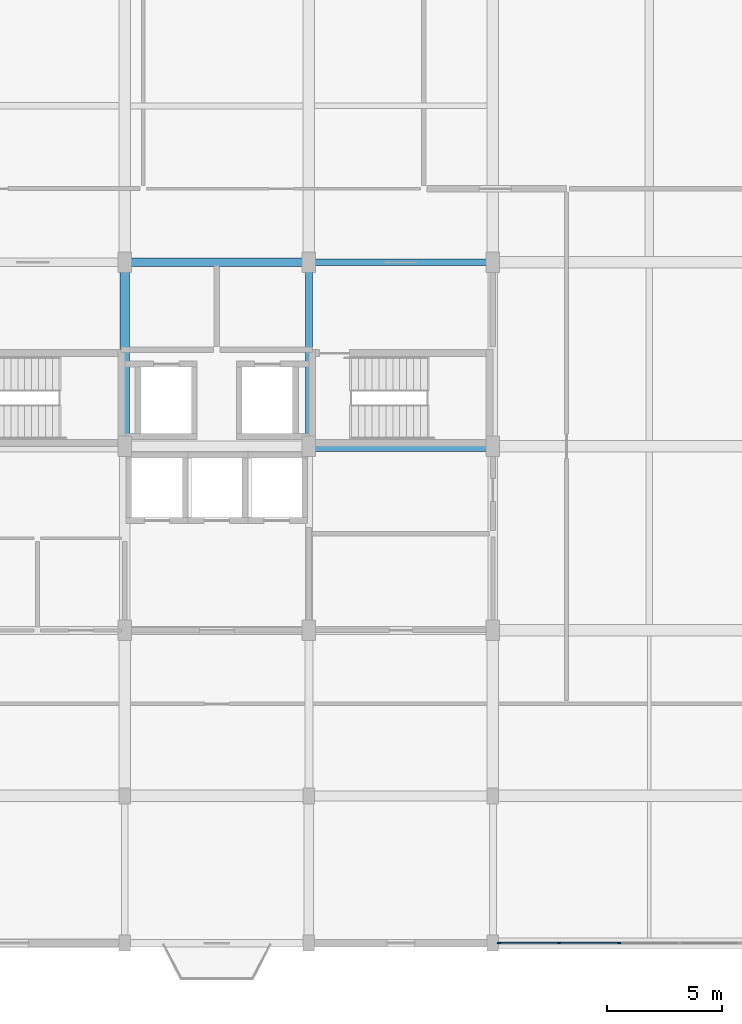
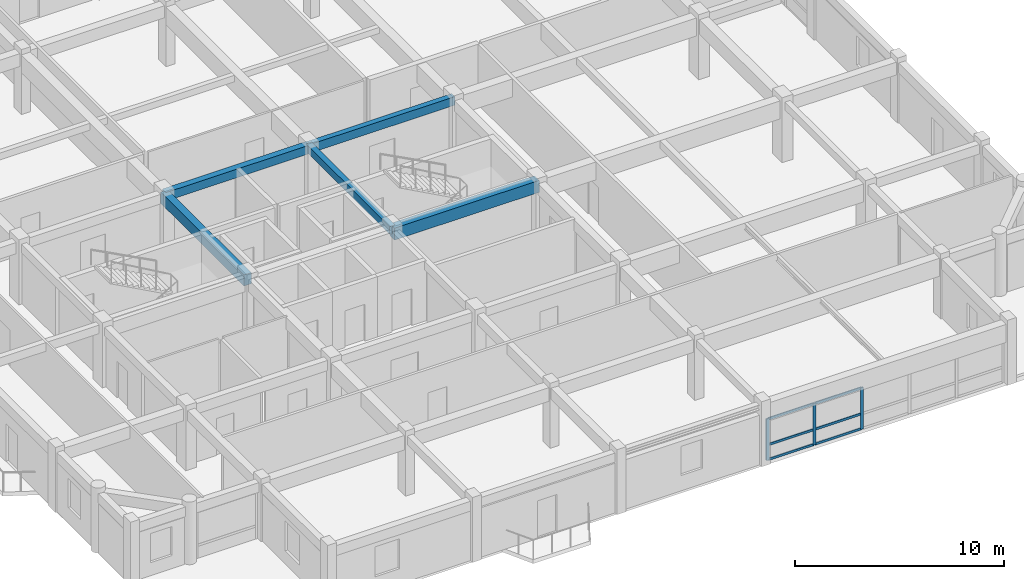
# One storey, part 4 of 14: 9 members, 5 beams, 1 element without a shape of its own.
"""IFC4 building model written with IfcOpenShell, lengths in metres."""

from ifc_helpers import new_model, si_unit, direction, frame, origin, origin_2d, place, context, subcontext, project, spatial, rectangle, extrude, material, material_profile, profile_set, type_object, element, aggregate, save


model = new_model("IFC4")

# Units and contexts
model_context = context("Model", 3, precision=1e-05, world=origin(), true_north=direction((0.0, 1.0)))
body_context = subcontext(model_context, "Body", "Model", "MODEL_VIEW")
ifc_project = project(units=[si_unit("LENGTHUNIT", "METRE"), si_unit("AREAUNIT", "SQUARE_METRE"), si_unit("VOLUMEUNIT", "CUBIC_METRE"), si_unit("PLANEANGLEUNIT", "RADIAN"), si_unit("MASSUNIT", "GRAM", prefix="KILO")], contexts=[model_context])

# Site, building, storey
site_placement = place(None, origin())
site = spatial("IfcSite", under=ifc_project, at=site_placement, CompositionType="ELEMENT")
building_placement = place(site_placement, origin())
building = spatial("IfcBuilding", under=site, at=building_placement, Name="Vellmiral Cinema and Media Centre", CompositionType="ELEMENT")
storey_placement = place(building_placement, frame((0.0, 0.0, 47.10009765625)))
storey = spatial("IfcBuildingStorey", under=building, at=storey_placement, Name="L11", CompositionType="ELEMENT", Elevation=47.10009765625)

# Beams
ifc_material_1 = material(Name="Concrete C40/50", Category="concrete")
ifc_material_profile_1 = material_profile(ifc_material_1, rectangle(XDim=0.300048828125, YDim=0.449951171875, at=origin_2d()), Name="RC 300x450")
ifc_profile_set_1 = profile_set([ifc_material_profile_1], Name="Concrete C40/50")
beam_type_1 = type_object("IfcBeamType", Name="BM-RC-300x450", PredefinedType="BEAM", material=ifc_profile_set_1)
beam_1_placement = place(storey_placement, frame((140.0, 87.199951171875, 3.27001953125), z_axis=(0.0, 1.0, 0.0), x_axis=(-1.0, 0.0, 0.0)))
element("IfcBeam", 1, at=beam_1_placement, inside=storey, type_object=beam_type_1, Name="Grid Beam L11-Y060", PredefinedType="BEAM", context=body_context, shape_type="SweptSolid", body=[
    extrude(rectangle(XDim=0.300048828125, YDim=0.449951171875, at=origin_2d()), origin(), (0.0, 0.0, 1.0), 8.0),
])
ifc_material_2 = material(Name="Concrete C40/50", Category="concrete")
ifc_material_profile_2 = material_profile(ifc_material_2, rectangle(XDim=0.300048828125, YDim=0.5, at=origin_2d()), Name="RC 300x500")
ifc_profile_set_2 = profile_set([ifc_material_profile_2], Name="Concrete C40/50")
beam_type_2 = type_object("IfcBeamType", Name="BM-RC-300x500", PredefinedType="BEAM", material=ifc_profile_set_2)
beam_2_placement = place(storey_placement, frame((140.0, 95.199951171875, 3.244873046875), z_axis=(1.0, 0.0, 0.0), x_axis=(0.0, 1.0, 0.0)))
element("IfcBeam", 2, at=beam_2_placement, inside=storey, type_object=beam_type_2, Name="Grid Beam L11-X026", PredefinedType="BEAM", context=body_context, shape_type="SweptSolid", body=[
    extrude(rectangle(XDim=0.300048828125, YDim=0.5, at=origin_2d()), origin(), (0.0, 0.0, 1.0), 8.0),
])
ifc_material_3 = material(Name="Concrete C40/50", Category="concrete")
ifc_material_profile_3 = material_profile(ifc_material_3, rectangle(XDim=0.35009765625, YDim=0.5, at=origin_2d()), Name="RC 350x500")
ifc_profile_set_3 = profile_set([ifc_material_profile_3], Name="Concrete C40/50")
beam_type_3 = type_object("IfcBeamType", Name="BM-RC-350x500", PredefinedType="BEAM", material=ifc_profile_set_3)
beam_3_placement = place(storey_placement, frame((132.0, 95.199951171875, 3.244873046875), z_axis=(1.0, 0.0, 0.0), x_axis=(0.0, 1.0, 0.0)))
element("IfcBeam", 3, at=beam_3_placement, inside=storey, type_object=beam_type_3, Name="Grid Beam L11-X025", PredefinedType="BEAM", context=body_context, shape_type="SweptSolid", body=[
    extrude(rectangle(XDim=0.35009765625, YDim=0.5, at=origin_2d()), origin(), (0.0, 0.0, 1.0), 8.0),
])
ifc_material_4 = material(Name="Concrete C40/50", Category="concrete")
ifc_material_profile_4 = material_profile(ifc_material_4, rectangle(XDim=0.39990234375, YDim=0.64990234375, at=origin_2d()), Name="RC 400x650")
ifc_profile_set_4 = profile_set([ifc_material_profile_4], Name="Concrete C40/50")
beam_type_4 = type_object("IfcBeamType", Name="BM-RC-400x650", PredefinedType="BEAM", material=ifc_profile_set_4)
beam_4_placement = place(storey_placement, frame((132.0, 87.199951171875, 3.169921875), z_axis=(0.0, 1.0, 0.0), x_axis=(-1.0, 0.0, 0.0)))
element("IfcBeam", 4, at=beam_4_placement, inside=storey, type_object=beam_type_4, Name="Grid Beam L11-Y054", PredefinedType="BEAM", context=body_context, shape_type="SweptSolid", body=[
    extrude(rectangle(XDim=0.39990234375, YDim=0.64990234375, at=origin_2d()), origin(), (0.0, 0.0, 1.0), 8.0),
])
ifc_material_5 = material(Name="Concrete C40/50", Category="concrete")
ifc_material_profile_5 = material_profile(ifc_material_5, rectangle(XDim=0.449951171875, YDim=0.699951171875, at=origin_2d()), Name="RC 450x700")
ifc_profile_set_5 = profile_set([ifc_material_profile_5], Name="Concrete C40/50")
beam_type_5 = type_object("IfcBeamType", Name="BM-RC-450x700", PredefinedType="BEAM", material=ifc_profile_set_5)
beam_5_placement = place(storey_placement, frame((140.0, 87.199951171875, 3.14501953125), z_axis=(1.0, 0.0, 0.0), x_axis=(0.0, 1.0, 0.0)))
element("IfcBeam", 5, at=beam_5_placement, inside=storey, type_object=beam_type_5, Name="Grid Beam L11-X020", PredefinedType="BEAM", context=body_context, shape_type="SweptSolid", body=[
    extrude(rectangle(XDim=0.449951171875, YDim=0.699951171875, at=origin_2d()), origin(), (0.0, 0.0, 1.0), 8.0),
])

# Curtain wall, members
ifc_material_6 = material(Name="Thermally Broken Aluminium and Triple Glazing", Category="aluminium")
curtain_wall_type = type_object("IfcCurtainWallType", Name="CW-TOWER-MID-E", PredefinedType="USERDEFINED", material=ifc_material_6)
curtain_wall_placement = place(storey_placement, origin())
curtain_wall = element("IfcCurtainWall", 6, at=curtain_wall_placement, inside=storey, type_object=curtain_wall_type, Name="Curtain Wall L11-B004", ObjectType="UNITISED CURTAIN WALL", PredefinedType="USERDEFINED")
ifc_material_7 = material(Name="Thermally Broken Anodised Aluminium", Category="aluminium")
ifc_material_profile_6 = material_profile(ifc_material_7, rectangle(XDim=0.06494140625, YDim=0.159912109375, at=origin_2d()), Name="MULL 65x160")
ifc_profile_set_6 = profile_set([ifc_material_profile_6], Name="Thermally Broken Anodised Aluminium")
member_type_1 = type_object("IfcMemberType", Name="CWM-65x160", PredefinedType="MULLION", material=ifc_profile_set_6)
member_1_placement = place(storey_placement, frame((148.282470703125, 65.60009765625, 0.0), z_axis=(0.0, 0.0, 1.0), x_axis=(0.0, 1.0, 0.0)))
member_1 = element("IfcMember", 7, at=member_1_placement, type_object=member_type_1, Name="CW-07 mullion 1", PredefinedType="MULLION", context=body_context, shape_type="SweptSolid", body=[
    extrude(rectangle(XDim=0.06494140625, YDim=0.159912109375, at=origin_2d()), origin(), (0.0, 0.0, 1.0), 2.434814453125),
])
member_2_placement = place(storey_placement, frame((150.8701171875, 65.60009765625, 0.0), z_axis=(0.0, 0.0, 1.0), x_axis=(0.0, 1.0, 0.0)))
member_2 = element("IfcMember", 8, at=member_2_placement, type_object=member_type_1, Name="CW-07 mullion 2", PredefinedType="MULLION", context=body_context, shape_type="SweptSolid", body=[
    extrude(rectangle(XDim=0.06494140625, YDim=0.159912109375, at=origin_2d()), origin(), (0.0, 0.0, 1.0), 2.434814453125),
])
member_3_placement = place(storey_placement, frame((153.489990234375, 65.60009765625, 0.0), z_axis=(0.0, 0.0, 1.0), x_axis=(0.0, 1.0, 0.0)))
member_3 = element("IfcMember", 9, at=member_3_placement, type_object=member_type_1, Name="CW-07 mullion 3", PredefinedType="MULLION", context=body_context, shape_type="SweptSolid", body=[
    extrude(rectangle(XDim=0.06494140625, YDim=0.159912109375, at=origin_2d()), origin(), (0.0, 0.0, 1.0), 2.434814453125),
])
ifc_material_8 = material(Name="Thermally Broken Anodised Aluminium", Category="aluminium")
ifc_material_profile_7 = material_profile(ifc_material_8, rectangle(XDim=0.06494140625, YDim=0.135009765625, at=origin_2d()), Name="MULL 65x135")
ifc_profile_set_7 = profile_set([ifc_material_profile_7], Name="Thermally Broken Anodised Aluminium")
member_type_2 = type_object("IfcMemberType", Name="CWT-65x135", PredefinedType="USERDEFINED", material=ifc_profile_set_7)
member_4_placement = place(storey_placement, frame((148.31494140625, 65.60009765625, 0.032470703125), z_axis=(1.0, 0.0, 0.0), x_axis=(0.0, 1.0, 0.0)))
member_4 = element("IfcMember", 10, at=member_4_placement, type_object=member_type_2, Name="CW-07 transom 1.1", ObjectType="TRANSOM", PredefinedType="USERDEFINED", context=body_context, shape_type="SweptSolid", body=[
    extrude(rectangle(XDim=0.06494140625, YDim=0.135009765625, at=origin_2d()), origin(), (0.0, 0.0, 1.0), 2.5224609375),
])
member_5_placement = place(storey_placement, frame((148.31494140625, 65.60009765625, 0.89990234375), z_axis=(1.0, 0.0, 0.0), x_axis=(0.0, 1.0, 0.0)))
member_5 = element("IfcMember", 11, at=member_5_placement, type_object=member_type_2, Name="CW-07 transom 1.2", ObjectType="TRANSOM", PredefinedType="USERDEFINED", context=body_context, shape_type="SweptSolid", body=[
    extrude(rectangle(XDim=0.06494140625, YDim=0.135009765625, at=origin_2d()), origin(), (0.0, 0.0, 1.0), 2.5224609375),
])
member_6_placement = place(storey_placement, frame((148.31494140625, 65.60009765625, 2.40234375), z_axis=(1.0, 0.0, 0.0), x_axis=(0.0, 1.0, 0.0)))
member_6 = element("IfcMember", 12, at=member_6_placement, type_object=member_type_2, Name="CW-07 transom 1.3", ObjectType="TRANSOM", PredefinedType="USERDEFINED", context=body_context, shape_type="SweptSolid", body=[
    extrude(rectangle(XDim=0.06494140625, YDim=0.135009765625, at=origin_2d()), origin(), (0.0, 0.0, 1.0), 2.5224609375),
])
member_7_placement = place(storey_placement, frame((150.902587890625, 65.60009765625, 0.032470703125), z_axis=(1.0, 0.0, 0.0), x_axis=(0.0, 1.0, 0.0)))
member_7 = element("IfcMember", 13, at=member_7_placement, type_object=member_type_2, Name="CW-07 transom 2.1", ObjectType="TRANSOM", PredefinedType="USERDEFINED", context=body_context, shape_type="SweptSolid", body=[
    extrude(rectangle(XDim=0.06494140625, YDim=0.135009765625, at=origin_2d()), origin(), (0.0, 0.0, 1.0), 2.554931640625),
])
member_8_placement = place(storey_placement, frame((150.902587890625, 65.60009765625, 0.89990234375), z_axis=(1.0, 0.0, 0.0), x_axis=(0.0, 1.0, 0.0)))
member_8 = element("IfcMember", 14, at=member_8_placement, type_object=member_type_2, Name="CW-07 transom 2.2", ObjectType="TRANSOM", PredefinedType="USERDEFINED", context=body_context, shape_type="SweptSolid", body=[
    extrude(rectangle(XDim=0.06494140625, YDim=0.135009765625, at=origin_2d()), origin(), (0.0, 0.0, 1.0), 2.554931640625),
])
member_9_placement = place(storey_placement, frame((150.902587890625, 65.60009765625, 2.40234375), z_axis=(1.0, 0.0, 0.0), x_axis=(0.0, 1.0, 0.0)))
member_9 = element("IfcMember", 15, at=member_9_placement, type_object=member_type_2, Name="CW-07 transom 2.3", ObjectType="TRANSOM", PredefinedType="USERDEFINED", context=body_context, shape_type="SweptSolid", body=[
    extrude(rectangle(XDim=0.06494140625, YDim=0.135009765625, at=origin_2d()), origin(), (0.0, 0.0, 1.0), 2.554931640625),
])
aggregate(curtain_wall, [member_1, member_2, member_3, member_4, member_5, member_6, member_7, member_8, member_9])

save(model, "model.ifc")
